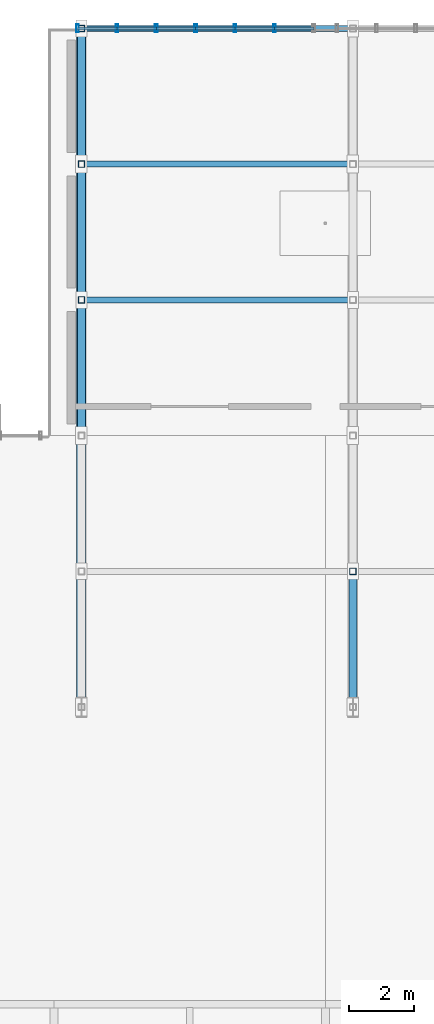
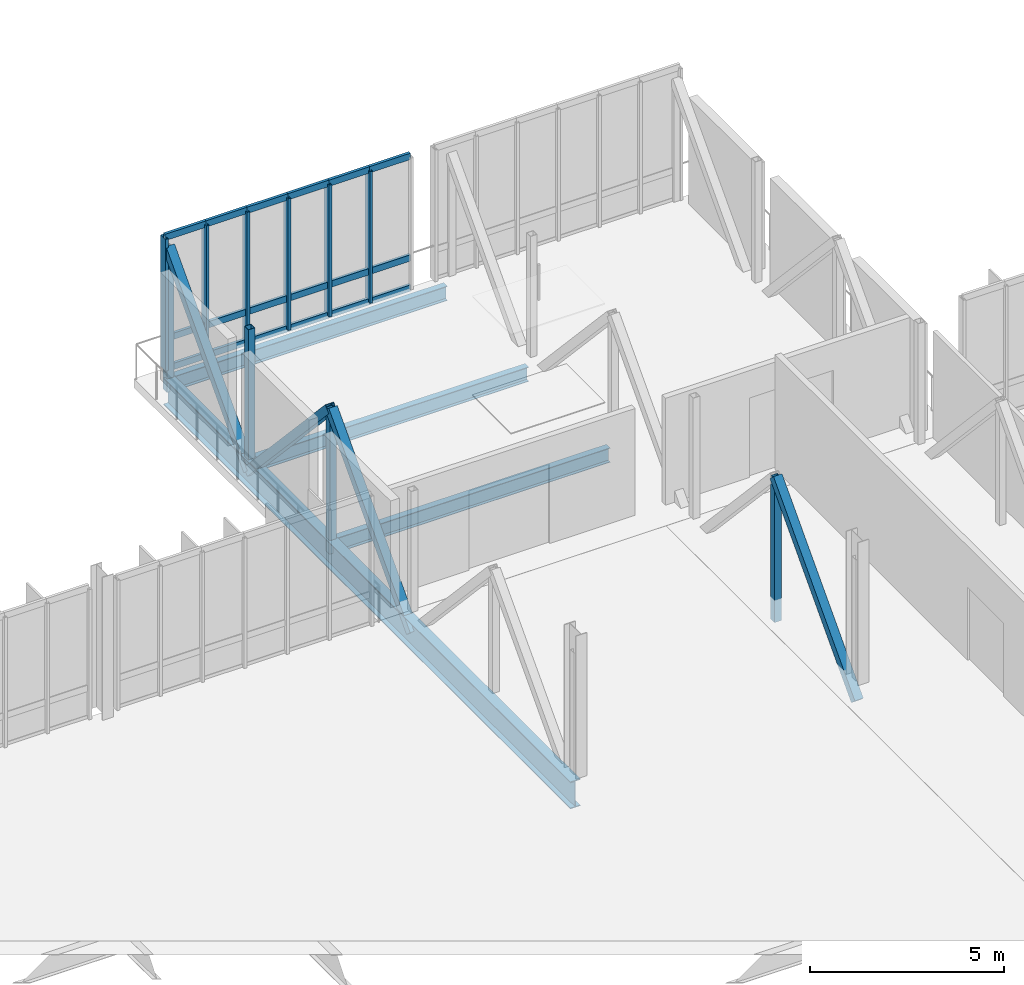
# One storey, part 68 of 139: 32 members, 4 beams, 1 element without a shape of its own.
"""IFC4 building model written with IfcOpenShell, lengths in metres."""

import ifcopenshell
import ifcopenshell.guid

model = None  # the IFC model being written
_history = None  # IfcOwnerHistory: only IFC2X3 demands one
_inside = {}  # id of a spatial element -> (the spatial element, [elements in it])
_under = {}  # id of a project, library or spatial element -> (it, [spatial elements below it])
_declared = {}  # id of a project -> (the project, [libraries it declares])
_typed = {}  # id of a type object -> (the type object, [elements of that type])
_made_of = {}  # id of a material, layer set ... -> (it, [elements and type objects made of it])


def new_model(schema):
    """Start an empty IFC model of exactly this schema.

    Asked for "IFC4X3", IfcOpenShell would pick the latest addendum, in which some entities
    have other attributes; the version numbers below select the first issue.
    IFC2X3 requires an IfcOwnerHistory on every rooted entity: one is made here for all.
    """
    global model, _history
    if schema == "IFC4X3":
        model = ifcopenshell.file(schema_version=(4, 3, 0, 0))
    else:
        model = ifcopenshell.file(schema=schema)
    _inside.clear()
    _under.clear()
    _declared.clear()
    _typed.clear()
    _made_of.clear()
    _history = None
    if model.schema == "IFC2X3":
        org = make("IfcOrganization", Name="unknown")
        user = make(
            "IfcPersonAndOrganization",
            ThePerson=make("IfcPerson", FamilyName="unknown"),
            TheOrganization=org,
        )
        app = make(
            "IfcApplication",
            ApplicationDeveloper=org,
            Version="unknown",
            ApplicationFullName="unknown",
            ApplicationIdentifier="unknown",
        )
        _history = make(
            "IfcOwnerHistory",
            OwningUser=user,
            OwningApplication=app,
            ChangeAction="ADDED",
            CreationDate=0,
        )
    return model


def make(cls, **values):
    """One entity of the class cls with the attributes given. An attribute that is None is left unset."""
    return model.create_entity(
        cls, **{name: value for name, value in values.items() if value is not None}
    )


def rooted(cls, **values):
    """An entity with a GlobalId (a new one), such as an element, a storey or a relation."""
    return make(cls, GlobalId=ifcopenshell.guid.new(), OwnerHistory=_history, **values)


def si_unit(unit_type, name, prefix=None):
    """IfcSIUnit, for example si_unit("LENGTHUNIT", "METRE", prefix="MILLI")."""
    return make("IfcSIUnit", UnitType=unit_type, Prefix=prefix, Name=name)


def derived_unit(unit_type, elements):
    """IfcDerivedUnit: a product of units, each with its exponent."""
    return make(
        "IfcDerivedUnit",
        Elements=[
            make("IfcDerivedUnitElement", Unit=unit, Exponent=power)
            for unit, power in elements
        ],
        UnitType=unit_type,
    )


def assignment(units):
    """IfcUnitAssignment: the units of a project."""
    return None if units is None else make("IfcUnitAssignment", Units=units)


def point(xyz):
    """IfcCartesianPoint."""
    return None if xyz is None else make("IfcCartesianPoint", Coordinates=xyz)


def direction(xyz):
    """IfcDirection."""
    return None if xyz is None else make("IfcDirection", DirectionRatios=xyz)


def frame(location, z_axis=None, x_axis=None):
    """IfcAxis2Placement3D, a coordinate frame: its origin and axes. An axis left out is left unset."""
    return make(
        "IfcAxis2Placement3D",
        Location=point(location),
        Axis=direction(z_axis),
        RefDirection=direction(x_axis),
    )


def frame_2d(location, x_axis=None):
    """IfcAxis2Placement2D, a coordinate frame in the plane: its origin and x axis."""
    return make(
        "IfcAxis2Placement2D", Location=point(location), RefDirection=direction(x_axis)
    )


def origin():
    """The frame at (0, 0, 0) with its axes left unset."""
    return frame((0.0, 0.0, 0.0))


def origin_2d():
    """The frame at (0, 0) in the plane with its x axis left unset."""
    return frame_2d((0.0, 0.0))


def place(relative_to, where):
    """IfcLocalPlacement: puts the frame where relative to a parent placement (None: the world)."""
    return make(
        "IfcLocalPlacement", PlacementRelTo=relative_to, RelativePlacement=where
    )


def context(
    kind, dimensions, precision=None, world=None, true_north=None, identifier=None
):
    """IfcGeometricRepresentationContext, for example the 3D "Model" context."""
    return make(
        "IfcGeometricRepresentationContext",
        ContextIdentifier=identifier,
        ContextType=kind,
        CoordinateSpaceDimension=dimensions,
        Precision=precision,
        WorldCoordinateSystem=world,
        TrueNorth=true_north,
    )


def subcontext(parent, identifier, kind, view, scale=None):
    """IfcGeometricRepresentationSubContext, for example "Body" below "Model"."""
    return make(
        "IfcGeometricRepresentationSubContext",
        ContextIdentifier=identifier,
        ContextType=kind,
        ParentContext=parent,
        TargetScale=scale,
        TargetView=view,
    )


def project(units=None, contexts=None):
    """IfcProject with its units and contexts."""
    return rooted(
        "IfcProject",
        Name="project",
        RepresentationContexts=contexts,
        UnitsInContext=assignment(units),
    )


def spatial(cls, under=None, at=None, **own):
    """A site, building, storey or space (cls), placed at a placement, below another one or the project."""
    s = rooted(cls, ObjectPlacement=at, **own)
    if under is not None:
        _under.setdefault(under.id(), (under, []))[1].append(s)
    return s


def profile(cls, at=None, kind="AREA", **sizes):
    """A parametric profile (cls). Its sizes go by their IFC names, for example OverallWidth=200.0."""
    return make(cls, ProfileType=kind, Position=at, **sizes)


def hollow_rectangle(**sizes):
    """IfcRectangleHollowProfileDef."""
    return profile("IfcRectangleHollowProfileDef", **sizes)


def i_section(**sizes):
    """IfcIShapeProfileDef."""
    return profile("IfcIShapeProfileDef", **sizes)


def extrude(swept, where, along, depth):
    """IfcExtrudedAreaSolid: the profile swept, set in the frame where, extruded along a direction by depth."""
    return make(
        "IfcExtrudedAreaSolid",
        SweptArea=swept,
        Position=where,
        ExtrudedDirection=direction(along),
        Depth=depth,
    )


def shape(context_of_items, identifier, shape_type, items):
    """IfcShapeRepresentation: the items that make up one representation, for example the "Body"."""
    return make(
        "IfcShapeRepresentation",
        ContextOfItems=context_of_items,
        RepresentationIdentifier=identifier,
        RepresentationType=shape_type,
        Items=items,
    )


def material(Name=None, Category=None):
    """IfcMaterial."""
    return make("IfcMaterial", Name=Name, Category=Category)


def layer(
    of_material, thickness, ventilated=None, Name=None, Category=None, Priority=None
):
    """IfcMaterialLayer: one layer of a wall or slab, of a material (None: an air gap)."""
    return make(
        "IfcMaterialLayer",
        Material=of_material,
        LayerThickness=thickness,
        IsVentilated=ventilated,
        Name=Name,
        Category=Category,
        Priority=Priority,
    )


def layer_set(layers, Name=None):
    """IfcMaterialLayerSet."""
    return make("IfcMaterialLayerSet", MaterialLayers=layers, LayerSetName=Name)


def material_profile(
    of_material, cross_section, Name=None, Category=None, Priority=None
):
    """IfcMaterialProfile: a cross section and its material."""
    return make(
        "IfcMaterialProfile",
        Name=Name,
        Material=of_material,
        Profile=cross_section,
        Priority=Priority,
        Category=Category,
    )


def profile_set(profiles, Name=None, composite=None):
    """IfcMaterialProfileSet."""
    return make(
        "IfcMaterialProfileSet",
        Name=Name,
        MaterialProfiles=profiles,
        CompositeProfile=composite,
    )


def made_of(thing, what):
    """Note that an element or type object is made of a material, layer set ...; save() writes the relation."""
    if what is not None:
        _made_of.setdefault(what.id(), (what, []))[1].append(thing)
    return thing


def type_object(cls, material=None, **own):
    """A type object (cls), such as IfcWallType, which elements share."""
    return made_of(rooted(cls, **own), material)


def element(
    cls,
    number,
    at=None,
    inside=None,
    cuts=None,
    type_object=None,
    material=None,
    context=None,
    identifier="Body",
    shape_type=None,
    held_by="IfcProductDefinitionShape",
    body=None,
    shapes=None,
    **own,
):
    """One element of the class cls, such as IfcWall. Its Tag is "e" and its number.

    at: its placement. inside: the storey or other place that contains it. cuts: it is an
    opening in that element (IfcRelVoidsElement). A single representation is given by context,
    identifier, shape_type and body (its items); several are given by shapes. held_by: the class
    of the entity that holds the representations. save() writes the other relations.
    """
    e = rooted(cls, Tag="e%d" % number, ObjectPlacement=at, **own)
    if body is not None:
        shapes = [shape(context, identifier, shape_type, body)]
    if shapes is not None:
        e.Representation = make(held_by, Representations=shapes)
    if inside is not None:
        _inside.setdefault(inside.id(), (inside, []))[1].append(e)
    if cuts is not None:
        rooted(
            "IfcRelVoidsElement", RelatingBuildingElement=cuts, RelatedOpeningElement=e
        )
    if type_object is not None:
        _typed.setdefault(type_object.id(), (type_object, []))[1].append(e)
    return made_of(e, material)


def aggregate(whole, parts):
    """IfcRelAggregates: a whole, such as a stair, and the parts it consists of."""
    return rooted("IfcRelAggregates", RelatingObject=whole, RelatedObjects=parts)


def save(model, path):
    """Write the relations noted so far, then the file.

    IfcRelAggregates (storeys below a building ...), IfcRelContainedInSpatialStructure (elements
    in a storey), IfcRelDefinesByType, IfcRelAssociatesMaterial and IfcRelDeclares: one each for
    every whole, place, type object, material and project.
    """
    for whole, parts in _under.values():
        aggregate(whole, parts)
    for where, things in _inside.values():
        rooted(
            "IfcRelContainedInSpatialStructure",
            RelatedElements=things,
            RelatingStructure=where,
        )
    for kind, things in _typed.values():
        rooted("IfcRelDefinesByType", RelatedObjects=things, RelatingType=kind)
    for what, things in _made_of.values():
        rooted("IfcRelAssociatesMaterial", RelatedObjects=things, RelatingMaterial=what)
    for by, libraries in _declared.values():
        rooted("IfcRelDeclares", RelatingContext=by, RelatedDefinitions=libraries)
    model.write(path)


model = new_model("IFC4")

# Units and contexts
model_context = context("Model", 3, precision=1e-05, world=origin(), true_north=direction((0.0, 1.0)))
body_context = subcontext(model_context, "Body", "Model", "MODEL_VIEW")
ifc_project = project(units=[si_unit("LENGTHUNIT", "METRE"), si_unit("AREAUNIT", "SQUARE_METRE"), si_unit("VOLUMEUNIT", "CUBIC_METRE"), si_unit("PLANEANGLEUNIT", "RADIAN"), si_unit("MASSUNIT", "GRAM", prefix="KILO"), derived_unit("THERMALTRANSMITTANCEUNIT", [(si_unit("MASSUNIT", "GRAM", prefix="KILO"), 1), (si_unit("TIMEUNIT", "SECOND"), -3), (si_unit("THERMODYNAMICTEMPERATUREUNIT", "KELVIN"), -1)])], contexts=[model_context])

# Site, building, storey
site_placement = place(None, origin())
site = spatial("IfcSite", under=ifc_project, at=site_placement, CompositionType="ELEMENT")
building_placement = place(site_placement, origin())
building = spatial("IfcBuilding", under=site, at=building_placement, Name="Makaiwela Harbour Ferry Terminal", CompositionType="ELEMENT")
storey_placement = place(building_placement, frame((0.0, 0.0, 5.10009765625)))
storey = spatial("IfcBuildingStorey", under=building, at=storey_placement, Name="L01", CompositionType="ELEMENT", Elevation=5.10009765625)

# Curtain wall, members
ifc_material_1 = material(Name="Marine anodised aluminium 6063-T6", Category="aluminium")
ifc_layer = layer(ifc_material_1, 0.199951171875)
ifc_layer_set = layer_set([ifc_layer], Name="Marine anodised aluminium 6063-T6")
curtain_wall_type = type_object("IfcCurtainWallType", Name="ENV-CW-20", PredefinedType="USERDEFINED", material=ifc_layer_set)
curtain_wall_placement = place(storey_placement, origin())
curtain_wall = element("IfcCurtainWall", 1, at=curtain_wall_placement, inside=storey, type_object=curtain_wall_type, Name="Unitised Curtain Wall CWA-132", ObjectType="UNITIZED CURTAIN WALL", PredefinedType="USERDEFINED")
ifc_material_profile_1 = material_profile(ifc_material_1, hollow_rectangle(XDim=0.0849609375, YDim=0.25, WallThickness=0.0048828125, at=origin_2d()), Name="CWM-250X85")
ifc_profile_set_1 = profile_set([ifc_material_profile_1], Name="Marine anodised aluminium 6063-T6")
member_type_1 = type_object("IfcMemberType", Name="CW-MUL-250", PredefinedType="MULLION", material=ifc_profile_set_1)
member_1_placement = place(storey_placement, frame((88.929931640625, 116.0, 0.0), z_axis=(0.0, 0.0, 1.0), x_axis=(1.0, 0.0, 0.0)))
member_1 = element("IfcMember", 2, at=member_1_placement, type_object=member_type_1, Name="Curtain Wall Mullion CWA-132-1", PredefinedType="MULLION", context=body_context, shape_type="SweptSolid", body=[
    extrude(hollow_rectangle(XDim=0.0849609375, YDim=0.25, WallThickness=0.0048828125, at=origin_2d()), origin(), (0.0, 0.0, 1.0), 4.14990234375),
])
member_2_placement = place(storey_placement, frame((90.148193359375, 116.0, 0.0), z_axis=(0.0, 0.0, 1.0), x_axis=(1.0, 0.0, 0.0)))
member_2 = element("IfcMember", 3, at=member_2_placement, type_object=member_type_1, Name="Curtain Wall Mullion CWA-132-2", PredefinedType="MULLION", context=body_context, shape_type="SweptSolid", body=[
    extrude(hollow_rectangle(XDim=0.0849609375, YDim=0.25, WallThickness=0.0048828125, at=origin_2d()), origin(), (0.0, 0.0, 1.0), 4.14990234375),
])
member_3_placement = place(storey_placement, frame((91.36669921875, 116.0, 0.0), z_axis=(0.0, 0.0, 1.0), x_axis=(1.0, 0.0, 0.0)))
member_3 = element("IfcMember", 4, at=member_3_placement, type_object=member_type_1, Name="Curtain Wall Mullion CWA-132-3", PredefinedType="MULLION", context=body_context, shape_type="SweptSolid", body=[
    extrude(hollow_rectangle(XDim=0.0849609375, YDim=0.25, WallThickness=0.0048828125, at=origin_2d()), origin(), (0.0, 0.0, 1.0), 4.14990234375),
])
member_4_placement = place(storey_placement, frame((92.5849609375, 116.0, 0.0), z_axis=(0.0, 0.0, 1.0), x_axis=(1.0, 0.0, 0.0)))
member_4 = element("IfcMember", 5, at=member_4_placement, type_object=member_type_1, Name="Curtain Wall Mullion CWA-132-4", PredefinedType="MULLION", context=body_context, shape_type="SweptSolid", body=[
    extrude(hollow_rectangle(XDim=0.0849609375, YDim=0.25, WallThickness=0.0048828125, at=origin_2d()), origin(), (0.0, 0.0, 1.0), 4.14990234375),
])
member_5_placement = place(storey_placement, frame((93.80322265625, 116.0, 0.0), z_axis=(0.0, 0.0, 1.0), x_axis=(1.0, 0.0, 0.0)))
member_5 = element("IfcMember", 6, at=member_5_placement, type_object=member_type_1, Name="Curtain Wall Mullion CWA-132-5", PredefinedType="MULLION", context=body_context, shape_type="SweptSolid", body=[
    extrude(hollow_rectangle(XDim=0.0849609375, YDim=0.25, WallThickness=0.0048828125, at=origin_2d()), origin(), (0.0, 0.0, 1.0), 4.14990234375),
])
member_6_placement = place(storey_placement, frame((95.021728515625, 116.0, 0.0), z_axis=(0.0, 0.0, 1.0), x_axis=(1.0, 0.0, 0.0)))
member_6 = element("IfcMember", 7, at=member_6_placement, type_object=member_type_1, Name="Curtain Wall Mullion CWA-132-6", PredefinedType="MULLION", context=body_context, shape_type="SweptSolid", body=[
    extrude(hollow_rectangle(XDim=0.0849609375, YDim=0.25, WallThickness=0.0048828125, at=origin_2d()), origin(), (0.0, 0.0, 1.0), 4.14990234375),
])
ifc_material_profile_2 = material_profile(ifc_material_1, hollow_rectangle(XDim=0.0849609375, YDim=0.199951171875, WallThickness=0.0048828125, at=origin_2d()), Name="CWT-200X85")
ifc_profile_set_2 = profile_set([ifc_material_profile_2], Name="Marine anodised aluminium 6063-T6")
member_type_2 = type_object("IfcMemberType", Name="CW-TRN-200", PredefinedType="USERDEFINED", material=ifc_profile_set_2)
member_7_placement = place(storey_placement, frame((88.929931640625, 116.0, 0.0), z_axis=(1.0, 0.0, 0.0), x_axis=(0.0, 1.0, 0.0)))
member_7 = element("IfcMember", 8, at=member_7_placement, type_object=member_type_2, Name="Curtain Wall Transom CWA-132-1-1", ObjectType="TRANSOM", PredefinedType="USERDEFINED", context=body_context, shape_type="SweptSolid", body=[
    extrude(hollow_rectangle(XDim=0.0849609375, YDim=0.199951171875, WallThickness=0.0048828125, at=origin_2d()), origin(), (0.0, 0.0, 1.0), 1.21826171875),
])
member_8_placement = place(storey_placement, frame((88.929931640625, 116.0, 0.949951171875), z_axis=(1.0, 0.0, 0.0), x_axis=(0.0, 1.0, 0.0)))
member_8 = element("IfcMember", 9, at=member_8_placement, type_object=member_type_2, Name="Curtain Wall Transom CWA-132-1-2", ObjectType="TRANSOM", PredefinedType="USERDEFINED", context=body_context, shape_type="SweptSolid", body=[
    extrude(hollow_rectangle(XDim=0.0849609375, YDim=0.199951171875, WallThickness=0.0048828125, at=origin_2d()), origin(), (0.0, 0.0, 1.0), 1.21826171875),
])
member_9_placement = place(storey_placement, frame((88.929931640625, 116.0, 4.14990234375), z_axis=(1.0, 0.0, 0.0), x_axis=(0.0, 1.0, 0.0)))
member_9 = element("IfcMember", 10, at=member_9_placement, type_object=member_type_2, Name="Curtain Wall Transom CWA-132-1-3", ObjectType="TRANSOM", PredefinedType="USERDEFINED", context=body_context, shape_type="SweptSolid", body=[
    extrude(hollow_rectangle(XDim=0.0849609375, YDim=0.199951171875, WallThickness=0.0048828125, at=origin_2d()), origin(), (0.0, 0.0, 1.0), 1.21826171875),
])
member_10_placement = place(storey_placement, frame((90.148193359375, 116.0, 0.0), z_axis=(1.0, 0.0, 0.0), x_axis=(0.0, 1.0, 0.0)))
member_10 = element("IfcMember", 11, at=member_10_placement, type_object=member_type_2, Name="Curtain Wall Transom CWA-132-2-1", ObjectType="TRANSOM", PredefinedType="USERDEFINED", context=body_context, shape_type="SweptSolid", body=[
    extrude(hollow_rectangle(XDim=0.0849609375, YDim=0.199951171875, WallThickness=0.0048828125, at=origin_2d()), origin(), (0.0, 0.0, 1.0), 1.218505859375),
])
member_11_placement = place(storey_placement, frame((90.148193359375, 116.0, 0.949951171875), z_axis=(1.0, 0.0, 0.0), x_axis=(0.0, 1.0, 0.0)))
member_11 = element("IfcMember", 12, at=member_11_placement, type_object=member_type_2, Name="Curtain Wall Transom CWA-132-2-2", ObjectType="TRANSOM", PredefinedType="USERDEFINED", context=body_context, shape_type="SweptSolid", body=[
    extrude(hollow_rectangle(XDim=0.0849609375, YDim=0.199951171875, WallThickness=0.0048828125, at=origin_2d()), origin(), (0.0, 0.0, 1.0), 1.218505859375),
])
member_12_placement = place(storey_placement, frame((90.148193359375, 116.0, 4.14990234375), z_axis=(1.0, 0.0, 0.0), x_axis=(0.0, 1.0, 0.0)))
member_12 = element("IfcMember", 13, at=member_12_placement, type_object=member_type_2, Name="Curtain Wall Transom CWA-132-2-3", ObjectType="TRANSOM", PredefinedType="USERDEFINED", context=body_context, shape_type="SweptSolid", body=[
    extrude(hollow_rectangle(XDim=0.0849609375, YDim=0.199951171875, WallThickness=0.0048828125, at=origin_2d()), origin(), (0.0, 0.0, 1.0), 1.218505859375),
])
member_13_placement = place(storey_placement, frame((91.36669921875, 116.0, 0.0), z_axis=(1.0, 0.0, 0.0), x_axis=(0.0, 1.0, 0.0)))
member_13 = element("IfcMember", 14, at=member_13_placement, type_object=member_type_2, Name="Curtain Wall Transom CWA-132-3-1", ObjectType="TRANSOM", PredefinedType="USERDEFINED", context=body_context, shape_type="SweptSolid", body=[
    extrude(hollow_rectangle(XDim=0.0849609375, YDim=0.199951171875, WallThickness=0.0048828125, at=origin_2d()), origin(), (0.0, 0.0, 1.0), 1.21826171875),
])
member_14_placement = place(storey_placement, frame((91.36669921875, 116.0, 0.949951171875), z_axis=(1.0, 0.0, 0.0), x_axis=(0.0, 1.0, 0.0)))
member_14 = element("IfcMember", 15, at=member_14_placement, type_object=member_type_2, Name="Curtain Wall Transom CWA-132-3-2", ObjectType="TRANSOM", PredefinedType="USERDEFINED", context=body_context, shape_type="SweptSolid", body=[
    extrude(hollow_rectangle(XDim=0.0849609375, YDim=0.199951171875, WallThickness=0.0048828125, at=origin_2d()), origin(), (0.0, 0.0, 1.0), 1.21826171875),
])
member_15_placement = place(storey_placement, frame((91.36669921875, 116.0, 4.14990234375), z_axis=(1.0, 0.0, 0.0), x_axis=(0.0, 1.0, 0.0)))
member_15 = element("IfcMember", 16, at=member_15_placement, type_object=member_type_2, Name="Curtain Wall Transom CWA-132-3-3", ObjectType="TRANSOM", PredefinedType="USERDEFINED", context=body_context, shape_type="SweptSolid", body=[
    extrude(hollow_rectangle(XDim=0.0849609375, YDim=0.199951171875, WallThickness=0.0048828125, at=origin_2d()), origin(), (0.0, 0.0, 1.0), 1.21826171875),
])
member_16_placement = place(storey_placement, frame((92.5849609375, 116.0, 0.0), z_axis=(1.0, 0.0, 0.0), x_axis=(0.0, 1.0, 0.0)))
member_16 = element("IfcMember", 17, at=member_16_placement, type_object=member_type_2, Name="Curtain Wall Transom CWA-132-4-1", ObjectType="TRANSOM", PredefinedType="USERDEFINED", context=body_context, shape_type="SweptSolid", body=[
    extrude(hollow_rectangle(XDim=0.0849609375, YDim=0.199951171875, WallThickness=0.0048828125, at=origin_2d()), origin(), (0.0, 0.0, 1.0), 1.21826171875),
])
member_17_placement = place(storey_placement, frame((92.5849609375, 116.0, 0.949951171875), z_axis=(1.0, 0.0, 0.0), x_axis=(0.0, 1.0, 0.0)))
member_17 = element("IfcMember", 18, at=member_17_placement, type_object=member_type_2, Name="Curtain Wall Transom CWA-132-4-2", ObjectType="TRANSOM", PredefinedType="USERDEFINED", context=body_context, shape_type="SweptSolid", body=[
    extrude(hollow_rectangle(XDim=0.0849609375, YDim=0.199951171875, WallThickness=0.0048828125, at=origin_2d()), origin(), (0.0, 0.0, 1.0), 1.21826171875),
])
member_18_placement = place(storey_placement, frame((92.5849609375, 116.0, 4.14990234375), z_axis=(1.0, 0.0, 0.0), x_axis=(0.0, 1.0, 0.0)))
member_18 = element("IfcMember", 19, at=member_18_placement, type_object=member_type_2, Name="Curtain Wall Transom CWA-132-4-3", ObjectType="TRANSOM", PredefinedType="USERDEFINED", context=body_context, shape_type="SweptSolid", body=[
    extrude(hollow_rectangle(XDim=0.0849609375, YDim=0.199951171875, WallThickness=0.0048828125, at=origin_2d()), origin(), (0.0, 0.0, 1.0), 1.21826171875),
])
member_19_placement = place(storey_placement, frame((93.80322265625, 116.0, 0.0), z_axis=(1.0, 0.0, 0.0), x_axis=(0.0, 1.0, 0.0)))
member_19 = element("IfcMember", 20, at=member_19_placement, type_object=member_type_2, Name="Curtain Wall Transom CWA-132-5-1", ObjectType="TRANSOM", PredefinedType="USERDEFINED", context=body_context, shape_type="SweptSolid", body=[
    extrude(hollow_rectangle(XDim=0.0849609375, YDim=0.199951171875, WallThickness=0.0048828125, at=origin_2d()), origin(), (0.0, 0.0, 1.0), 1.218505859375),
])
member_20_placement = place(storey_placement, frame((93.80322265625, 116.0, 0.949951171875), z_axis=(1.0, 0.0, 0.0), x_axis=(0.0, 1.0, 0.0)))
member_20 = element("IfcMember", 21, at=member_20_placement, type_object=member_type_2, Name="Curtain Wall Transom CWA-132-5-2", ObjectType="TRANSOM", PredefinedType="USERDEFINED", context=body_context, shape_type="SweptSolid", body=[
    extrude(hollow_rectangle(XDim=0.0849609375, YDim=0.199951171875, WallThickness=0.0048828125, at=origin_2d()), origin(), (0.0, 0.0, 1.0), 1.218505859375),
])
member_21_placement = place(storey_placement, frame((93.80322265625, 116.0, 4.14990234375), z_axis=(1.0, 0.0, 0.0), x_axis=(0.0, 1.0, 0.0)))
member_21 = element("IfcMember", 22, at=member_21_placement, type_object=member_type_2, Name="Curtain Wall Transom CWA-132-5-3", ObjectType="TRANSOM", PredefinedType="USERDEFINED", context=body_context, shape_type="SweptSolid", body=[
    extrude(hollow_rectangle(XDim=0.0849609375, YDim=0.199951171875, WallThickness=0.0048828125, at=origin_2d()), origin(), (0.0, 0.0, 1.0), 1.218505859375),
])
member_22_placement = place(storey_placement, frame((95.021728515625, 116.0, 0.0), z_axis=(1.0, 0.0, 0.0), x_axis=(0.0, 1.0, 0.0)))
member_22 = element("IfcMember", 23, at=member_22_placement, type_object=member_type_2, Name="Curtain Wall Transom CWA-132-6-1", ObjectType="TRANSOM", PredefinedType="USERDEFINED", context=body_context, shape_type="SweptSolid", body=[
    extrude(hollow_rectangle(XDim=0.0849609375, YDim=0.199951171875, WallThickness=0.0048828125, at=origin_2d()), origin(), (0.0, 0.0, 1.0), 1.21826171875),
])
member_23_placement = place(storey_placement, frame((95.021728515625, 116.0, 0.949951171875), z_axis=(1.0, 0.0, 0.0), x_axis=(0.0, 1.0, 0.0)))
member_23 = element("IfcMember", 24, at=member_23_placement, type_object=member_type_2, Name="Curtain Wall Transom CWA-132-6-2", ObjectType="TRANSOM", PredefinedType="USERDEFINED", context=body_context, shape_type="SweptSolid", body=[
    extrude(hollow_rectangle(XDim=0.0849609375, YDim=0.199951171875, WallThickness=0.0048828125, at=origin_2d()), origin(), (0.0, 0.0, 1.0), 1.21826171875),
])
member_24_placement = place(storey_placement, frame((95.021728515625, 116.0, 4.14990234375), z_axis=(1.0, 0.0, 0.0), x_axis=(0.0, 1.0, 0.0)))
member_24 = element("IfcMember", 25, at=member_24_placement, type_object=member_type_2, Name="Curtain Wall Transom CWA-132-6-3", ObjectType="TRANSOM", PredefinedType="USERDEFINED", context=body_context, shape_type="SweptSolid", body=[
    extrude(hollow_rectangle(XDim=0.0849609375, YDim=0.199951171875, WallThickness=0.0048828125, at=origin_2d()), origin(), (0.0, 0.0, 1.0), 1.21826171875),
])
aggregate(curtain_wall, [member_1, member_2, member_3, member_4, member_5, member_6, member_7, member_8, member_9, member_10, member_11, member_12, member_13, member_14, member_15, member_16, member_17, member_18, member_19, member_20, member_21, member_22, member_23, member_24])

# Members
ifc_material_2 = material(Name="Steel ASTM A500 Grade C", Category="steel")
ifc_material_profile_3 = material_profile(ifc_material_2, hollow_rectangle(XDim=0.25390625, YDim=0.25390625, WallThickness=0.0146484375, at=origin_2d()), Name="HSS10X10X5/8")
ifc_profile_set_3 = profile_set([ifc_material_profile_3], Name="Steel ASTM A500 Grade C")
member_type_3 = type_object("IfcMemberType", Name="STR-BRC-HSS10", PredefinedType="BRACE", material=ifc_profile_set_3)
for number, where, z_axis, x_axis, name in (
    (26, (89.050048828125, 103.39990234375, -0.70556640625), (0.0, 0.680715125989, 0.732548235443), (-1.0, 0.0, 0.0), "Structural Member BR-01"),
    (27, (89.050048828125, 107.60009765625, 3.814453125), (0.0, 0.680693892275, -0.732567966144), (-1.0, 0.0, 0.0), "Structural Member BR-01"),
    (28, (89.050048828125, 111.800048828125, -0.70556640625), (0.0, 0.680693892275, 0.732567966144), (-1.0, 0.0, 0.0), "Structural Member BR-01"),
    (29, (97.449951171875, 95.0, -0.70556640625), (0.0, 0.680693892275, 0.732567966144), (-1.0, 0.0, 0.0), "Structural Member BR-01"),
):
    element("IfcMember", number, at=place(storey_placement, frame(where, z_axis=z_axis, x_axis=x_axis)), inside=storey, type_object=member_type_3, Name=name, PredefinedType="BRACE", context=body_context, shape_type="SweptSolid", body=[
        extrude(hollow_rectangle(XDim=0.25390625, YDim=0.25390625, WallThickness=0.0146484375, at=origin_2d()), origin(), (0.0, 0.0, 1.0), 6.170166015625),
    ])

# Beams
ifc_material_3 = material(Name="Steel ASTM A992 Grade 50", Category="steel")
ifc_material_profile_4 = material_profile(ifc_material_3, i_section(OverallWidth=0.2939453125, OverallDepth=0.85107421875, WebThickness=0.01611328125, FlangeThickness=0.02685546875, at=origin_2d()), Name="W33X152")
ifc_profile_set_4 = profile_set([ifc_material_profile_4], Name="Steel ASTM A992 Grade 50")
beam_type_1 = type_object("IfcBeamType", Name="STR-GRD-W33X152", PredefinedType="USERDEFINED", material=ifc_profile_set_4)
beam_placement = place(storey_placement, frame((89.050048828125, 95.0, -0.70556640625), z_axis=(0.0, 1.0, 0.0), x_axis=(-1.0, 0.0, 0.0)))
element("IfcBeam", 30, at=beam_placement, inside=storey, type_object=beam_type_1, Name="North bridge truss bottom chord 1", ObjectType="GIRDER", PredefinedType="USERDEFINED", context=body_context, shape_type="SweptSolid", body=[
    extrude(i_section(OverallWidth=0.2939453125, OverallDepth=0.85107421875, WebThickness=0.01611328125, FlangeThickness=0.02685546875, at=origin_2d()), origin(), (0.0, 0.0, 1.0), 21.0),
])
ifc_material_profile_5 = material_profile(ifc_material_3, i_section(OverallWidth=0.18994140625, OverallDepth=0.45703125, WebThickness=0.009033203125, FlangeThickness=0.014404296875, at=origin_2d()), Name="W18X50")
ifc_profile_set_5 = profile_set([ifc_material_profile_5], Name="Steel ASTM A992 Grade 50")
beam_type_2 = type_object("IfcBeamType", Name="STR-JST-W18X50", PredefinedType="JOIST", material=ifc_profile_set_5)
for number, where, z_axis, x_axis, name in (
    (31, (89.19091796875, 107.60009765625, -0.508544921875), (1.0, 0.0, 0.0), (0.0, 1.0, 0.0), "Structural Beam J-01"),
    (32, (89.19091796875, 111.800048828125, -0.508544921875), (1.0, 0.0, 0.0), (0.0, 1.0, 0.0), "Structural Beam J-01"),
    (33, (89.19091796875, 116.0, -0.508544921875), (1.0, 0.0, 0.0), (0.0, 1.0, 0.0), "Structural Beam J-01"),
):
    element("IfcBeam", number, at=place(storey_placement, frame(where, z_axis=z_axis, x_axis=x_axis)), inside=storey, type_object=beam_type_2, Name=name, PredefinedType="JOIST", context=body_context, shape_type="SweptSolid", body=[
        extrude(i_section(OverallWidth=0.18994140625, OverallDepth=0.45703125, WebThickness=0.009033203125, FlangeThickness=0.014404296875, at=origin_2d()), origin(), (0.0, 0.0, 1.0), 8.1181640625),
    ])

# Members
ifc_material_profile_6 = material_profile(ifc_material_2, hollow_rectangle(XDim=0.202880859375, YDim=0.202880859375, WallThickness=0.01171875, at=origin_2d()), Name="HSS8X8X1/2")
ifc_profile_set_6 = profile_set([ifc_material_profile_6], Name="Steel ASTM A500 Grade C")
member_type_4 = type_object("IfcMemberType", Name="STR-PST-HSS8", PredefinedType="POST", material=ifc_profile_set_6)
for number, where, z_axis, x_axis, name in (
    (34, (89.050048828125, 107.60009765625, -0.70556640625), (0.0, 0.0, 1.0), (1.0, 0.0, 0.0), "Structural Member PS-01"),
    (35, (89.050048828125, 111.800048828125, -0.70556640625), (0.0, 0.0, 1.0), (1.0, 0.0, 0.0), "Structural Member PS-01"),
    (36, (89.050048828125, 116.0, -0.70556640625), (0.0, 0.0, 1.0), (1.0, 0.0, 0.0), "Structural Member PS-01"),
    (37, (97.449951171875, 99.199951171875, -0.70556640625), (0.0, 0.0, 1.0), (1.0, 0.0, 0.0), "Structural Member PS-01"),
):
    element("IfcMember", number, at=place(storey_placement, frame(where, z_axis=z_axis, x_axis=x_axis)), inside=storey, type_object=member_type_4, Name=name, PredefinedType="POST", context=body_context, shape_type="SweptSolid", body=[
        extrude(hollow_rectangle(XDim=0.202880859375, YDim=0.202880859375, WallThickness=0.01171875, at=origin_2d()), origin(), (0.0, 0.0, 1.0), 4.52001953125),
    ])

save(model, "model.ifc")
